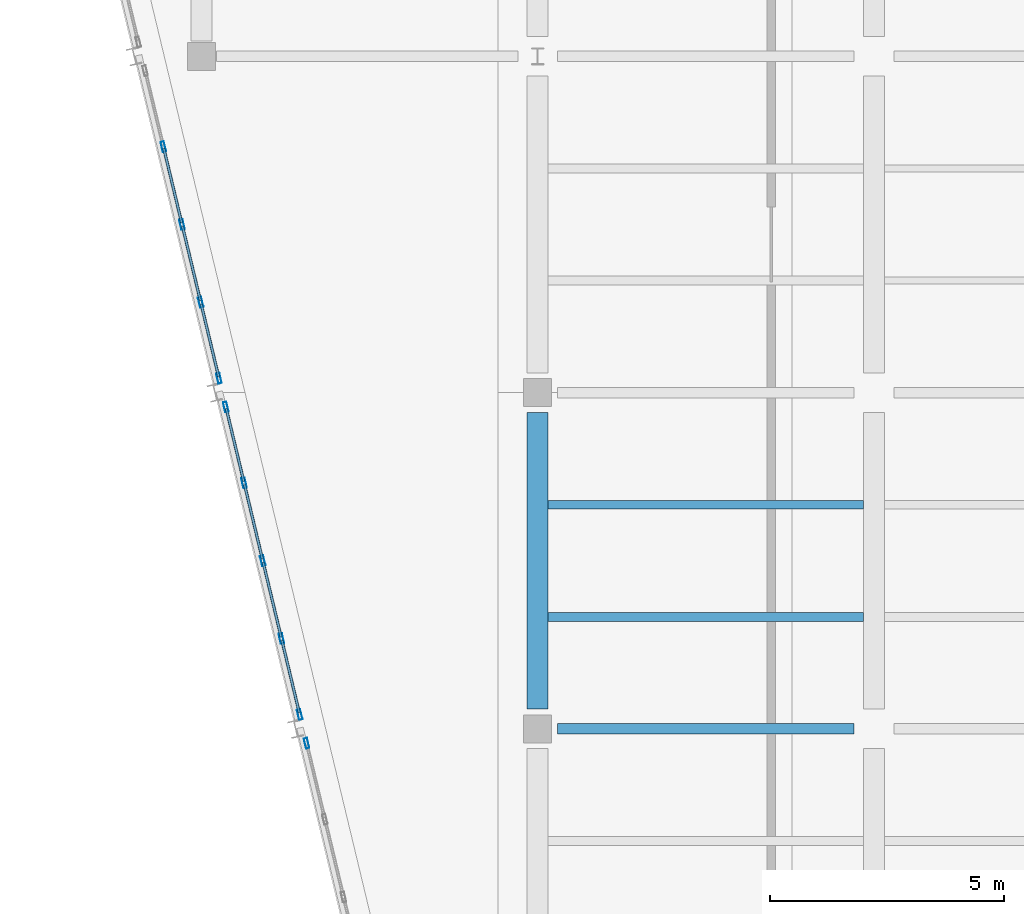
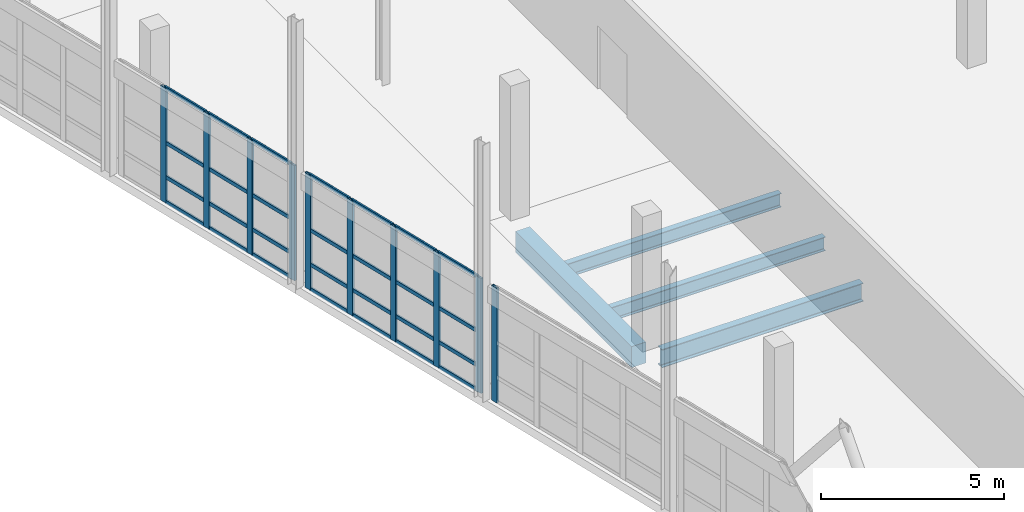
# One storey, part 64 of 123: 38 members, 4 beams, 3 elements without a shape of their own.
"""IFC4 building model written with IfcOpenShell, lengths in metres."""

import ifcopenshell
import ifcopenshell.guid

model = None  # the IFC model being written
_history = None  # IfcOwnerHistory: only IFC2X3 demands one
_inside = {}  # id of a spatial element -> (the spatial element, [elements in it])
_under = {}  # id of a project, library or spatial element -> (it, [spatial elements below it])
_declared = {}  # id of a project -> (the project, [libraries it declares])
_typed = {}  # id of a type object -> (the type object, [elements of that type])
_made_of = {}  # id of a material, layer set ... -> (it, [elements and type objects made of it])


def new_model(schema):
    """Start an empty IFC model of exactly this schema.

    Asked for "IFC4X3", IfcOpenShell would pick the latest addendum, in which some entities
    have other attributes; the version numbers below select the first issue.
    IFC2X3 requires an IfcOwnerHistory on every rooted entity: one is made here for all.
    """
    global model, _history
    if schema == "IFC4X3":
        model = ifcopenshell.file(schema_version=(4, 3, 0, 0))
    else:
        model = ifcopenshell.file(schema=schema)
    _inside.clear()
    _under.clear()
    _declared.clear()
    _typed.clear()
    _made_of.clear()
    _history = None
    if model.schema == "IFC2X3":
        org = make("IfcOrganization", Name="unknown")
        user = make(
            "IfcPersonAndOrganization",
            ThePerson=make("IfcPerson", FamilyName="unknown"),
            TheOrganization=org,
        )
        app = make(
            "IfcApplication",
            ApplicationDeveloper=org,
            Version="unknown",
            ApplicationFullName="unknown",
            ApplicationIdentifier="unknown",
        )
        _history = make(
            "IfcOwnerHistory",
            OwningUser=user,
            OwningApplication=app,
            ChangeAction="ADDED",
            CreationDate=0,
        )
    return model


def make(cls, **values):
    """One entity of the class cls with the attributes given. An attribute that is None is left unset."""
    return model.create_entity(
        cls, **{name: value for name, value in values.items() if value is not None}
    )


def rooted(cls, **values):
    """An entity with a GlobalId (a new one), such as an element, a storey or a relation."""
    return make(cls, GlobalId=ifcopenshell.guid.new(), OwnerHistory=_history, **values)


def si_unit(unit_type, name, prefix=None):
    """IfcSIUnit, for example si_unit("LENGTHUNIT", "METRE", prefix="MILLI")."""
    return make("IfcSIUnit", UnitType=unit_type, Prefix=prefix, Name=name)


def assignment(units):
    """IfcUnitAssignment: the units of a project."""
    return None if units is None else make("IfcUnitAssignment", Units=units)


def point(xyz):
    """IfcCartesianPoint."""
    return None if xyz is None else make("IfcCartesianPoint", Coordinates=xyz)


def direction(xyz):
    """IfcDirection."""
    return None if xyz is None else make("IfcDirection", DirectionRatios=xyz)


def frame(location, z_axis=None, x_axis=None):
    """IfcAxis2Placement3D, a coordinate frame: its origin and axes. An axis left out is left unset."""
    return make(
        "IfcAxis2Placement3D",
        Location=point(location),
        Axis=direction(z_axis),
        RefDirection=direction(x_axis),
    )


def frame_2d(location, x_axis=None):
    """IfcAxis2Placement2D, a coordinate frame in the plane: its origin and x axis."""
    return make(
        "IfcAxis2Placement2D", Location=point(location), RefDirection=direction(x_axis)
    )


def origin():
    """The frame at (0, 0, 0) with its axes left unset."""
    return frame((0.0, 0.0, 0.0))


def origin_2d():
    """The frame at (0, 0) in the plane with its x axis left unset."""
    return frame_2d((0.0, 0.0))


def place(relative_to, where):
    """IfcLocalPlacement: puts the frame where relative to a parent placement (None: the world)."""
    return make(
        "IfcLocalPlacement", PlacementRelTo=relative_to, RelativePlacement=where
    )


def context(
    kind, dimensions, precision=None, world=None, true_north=None, identifier=None
):
    """IfcGeometricRepresentationContext, for example the 3D "Model" context."""
    return make(
        "IfcGeometricRepresentationContext",
        ContextIdentifier=identifier,
        ContextType=kind,
        CoordinateSpaceDimension=dimensions,
        Precision=precision,
        WorldCoordinateSystem=world,
        TrueNorth=true_north,
    )


def subcontext(parent, identifier, kind, view, scale=None):
    """IfcGeometricRepresentationSubContext, for example "Body" below "Model"."""
    return make(
        "IfcGeometricRepresentationSubContext",
        ContextIdentifier=identifier,
        ContextType=kind,
        ParentContext=parent,
        TargetScale=scale,
        TargetView=view,
    )


def project(units=None, contexts=None):
    """IfcProject with its units and contexts."""
    return rooted(
        "IfcProject",
        Name="project",
        RepresentationContexts=contexts,
        UnitsInContext=assignment(units),
    )


def spatial(cls, under=None, at=None, **own):
    """A site, building, storey or space (cls), placed at a placement, below another one or the project."""
    s = rooted(cls, ObjectPlacement=at, **own)
    if under is not None:
        _under.setdefault(under.id(), (under, []))[1].append(s)
    return s


def profile(cls, at=None, kind="AREA", **sizes):
    """A parametric profile (cls). Its sizes go by their IFC names, for example OverallWidth=200.0."""
    return make(cls, ProfileType=kind, Position=at, **sizes)


def rectangle(**sizes):
    """IfcRectangleProfileDef."""
    return profile("IfcRectangleProfileDef", **sizes)


def hollow_rectangle(**sizes):
    """IfcRectangleHollowProfileDef."""
    return profile("IfcRectangleHollowProfileDef", **sizes)


def i_section(**sizes):
    """IfcIShapeProfileDef."""
    return profile("IfcIShapeProfileDef", **sizes)


def extrude(swept, where, along, depth):
    """IfcExtrudedAreaSolid: the profile swept, set in the frame where, extruded along a direction by depth."""
    return make(
        "IfcExtrudedAreaSolid",
        SweptArea=swept,
        Position=where,
        ExtrudedDirection=direction(along),
        Depth=depth,
    )


def shape(context_of_items, identifier, shape_type, items):
    """IfcShapeRepresentation: the items that make up one representation, for example the "Body"."""
    return make(
        "IfcShapeRepresentation",
        ContextOfItems=context_of_items,
        RepresentationIdentifier=identifier,
        RepresentationType=shape_type,
        Items=items,
    )


def material(Name=None, Category=None):
    """IfcMaterial."""
    return make("IfcMaterial", Name=Name, Category=Category)


def material_profile(
    of_material, cross_section, Name=None, Category=None, Priority=None
):
    """IfcMaterialProfile: a cross section and its material."""
    return make(
        "IfcMaterialProfile",
        Name=Name,
        Material=of_material,
        Profile=cross_section,
        Priority=Priority,
        Category=Category,
    )


def profile_set(profiles, Name=None, composite=None):
    """IfcMaterialProfileSet."""
    return make(
        "IfcMaterialProfileSet",
        Name=Name,
        MaterialProfiles=profiles,
        CompositeProfile=composite,
    )


def made_of(thing, what):
    """Note that an element or type object is made of a material, layer set ...; save() writes the relation."""
    if what is not None:
        _made_of.setdefault(what.id(), (what, []))[1].append(thing)
    return thing


def type_object(cls, material=None, **own):
    """A type object (cls), such as IfcWallType, which elements share."""
    return made_of(rooted(cls, **own), material)


def element(
    cls,
    number,
    at=None,
    inside=None,
    cuts=None,
    type_object=None,
    material=None,
    context=None,
    identifier="Body",
    shape_type=None,
    held_by="IfcProductDefinitionShape",
    body=None,
    shapes=None,
    **own,
):
    """One element of the class cls, such as IfcWall. Its Tag is "e" and its number.

    at: its placement. inside: the storey or other place that contains it. cuts: it is an
    opening in that element (IfcRelVoidsElement). A single representation is given by context,
    identifier, shape_type and body (its items); several are given by shapes. held_by: the class
    of the entity that holds the representations. save() writes the other relations.
    """
    e = rooted(cls, Tag="e%d" % number, ObjectPlacement=at, **own)
    if body is not None:
        shapes = [shape(context, identifier, shape_type, body)]
    if shapes is not None:
        e.Representation = make(held_by, Representations=shapes)
    if inside is not None:
        _inside.setdefault(inside.id(), (inside, []))[1].append(e)
    if cuts is not None:
        rooted(
            "IfcRelVoidsElement", RelatingBuildingElement=cuts, RelatedOpeningElement=e
        )
    if type_object is not None:
        _typed.setdefault(type_object.id(), (type_object, []))[1].append(e)
    return made_of(e, material)


def aggregate(whole, parts):
    """IfcRelAggregates: a whole, such as a stair, and the parts it consists of."""
    return rooted("IfcRelAggregates", RelatingObject=whole, RelatedObjects=parts)


def save(model, path):
    """Write the relations noted so far, then the file.

    IfcRelAggregates (storeys below a building ...), IfcRelContainedInSpatialStructure (elements
    in a storey), IfcRelDefinesByType, IfcRelAssociatesMaterial and IfcRelDeclares: one each for
    every whole, place, type object, material and project.
    """
    for whole, parts in _under.values():
        aggregate(whole, parts)
    for where, things in _inside.values():
        rooted(
            "IfcRelContainedInSpatialStructure",
            RelatedElements=things,
            RelatingStructure=where,
        )
    for kind, things in _typed.values():
        rooted("IfcRelDefinesByType", RelatedObjects=things, RelatingType=kind)
    for what, things in _made_of.values():
        rooted("IfcRelAssociatesMaterial", RelatedObjects=things, RelatingMaterial=what)
    for by, libraries in _declared.values():
        rooted("IfcRelDeclares", RelatingContext=by, RelatedDefinitions=libraries)
    model.write(path)


model = new_model("IFC4")

# Units and contexts
model_context = context("Model", 3, precision=1e-05, world=origin(), true_north=direction((0.0, 1.0)))
body_context = subcontext(model_context, "Body", "Model", "MODEL_VIEW")
ifc_project = project(units=[si_unit("LENGTHUNIT", "METRE"), si_unit("AREAUNIT", "SQUARE_METRE"), si_unit("VOLUMEUNIT", "CUBIC_METRE"), si_unit("PLANEANGLEUNIT", "RADIAN"), si_unit("MASSUNIT", "GRAM", prefix="KILO")], contexts=[model_context])

# Site, building, storey
site_placement = place(None, origin())
site = spatial("IfcSite", under=ifc_project, at=site_placement, CompositionType="ELEMENT")
building_placement = place(site_placement, origin())
building = spatial("IfcBuilding", under=site, at=building_placement, Name="Kalmorath City Hall", CompositionType="ELEMENT")
storey_placement = place(building_placement, frame((0.0, 0.0, 10.199951171875)))
storey = spatial("IfcBuildingStorey", under=building, at=storey_placement, Name="L02", CompositionType="ELEMENT", Elevation=10.199951171875)

# Beam
ifc_material_1 = material(Name="Concrete C40/50", Category="concrete")
ifc_material_profile_1 = material_profile(ifc_material_1, rectangle(XDim=0.449951171875, YDim=0.699951171875, at=origin_2d()), Name="RC-BM-450X700")
ifc_profile_set_1 = profile_set([ifc_material_profile_1], Name="Concrete C40/50")
beam_type_1 = type_object("IfcBeamType", Name="Concrete floor beam 450x700", PredefinedType="BEAM", material=ifc_profile_set_1)
beam_1_placement = place(storey_placement, frame((136.800048828125, 65.22509765625, -0.634033203125), z_axis=(0.0, 1.0, 0.0), x_axis=(-1.0, 0.0, 0.0)))
element("IfcBeam", 1, at=beam_1_placement, inside=storey, type_object=beam_type_1, Name="L02 girder CB4 Y20/10-11", PredefinedType="BEAM", context=body_context, shape_type="SweptSolid", body=[
    extrude(rectangle(XDim=0.449951171875, YDim=0.699951171875, at=origin_2d()), origin(), (0.0, 0.0, 1.0), 6.349853515625),
])

# Curtain wall, members
ifc_material_2 = material(Name="Anodised aluminium and laminated glass", Category="aluminium")
curtain_wall_type = type_object("IfcCurtainWallType", Name="Unitised hurricane curtain wall 6849x3835 M1850", PredefinedType="NOTDEFINED", material=ifc_material_2)
curtain_wall_1_placement = place(storey_placement, origin())
curtain_wall_1 = element("IfcCurtainWall", 2, at=curtain_wall_1_placement, inside=storey, type_object=curtain_wall_type, Name="L02 curtain wall CW-68X38M18 #128", PredefinedType="NOTDEFINED")
ifc_material_3 = material(Name="Anodised aluminium framing", Category="aluminium")
ifc_material_profile_2 = material_profile(ifc_material_3, hollow_rectangle(XDim=0.06005859375, YDim=0.1298828125, WallThickness=0.00341796875, InnerFilletRadius=0.00341796875, OuterFilletRadius=0.007080078125, at=origin_2d()), Name="ALU-TRN-130X60X3.5")
ifc_profile_set_2 = profile_set([ifc_material_profile_2], Name="Anodised aluminium framing")
member_type_1 = type_object("IfcMemberType", Name="Curtain-wall courtyard transom 130x60", PredefinedType="USERDEFINED", material=ifc_profile_set_2)
member_1_placement = place(storey_placement, frame((131.6962890625, 65.142822265625, 0.030029296875), z_axis=(-0.233476838675, 0.972362363423, 0.0), x_axis=(-0.972362363423, -0.233476838675, 0.0)))
member_1 = element("IfcMember", 3, at=member_1_placement, type_object=member_type_1, Name="CW-68X38M18 transom 1.1", ObjectType="TRANSOM", PredefinedType="USERDEFINED", context=body_context, shape_type="SweptSolid", body=[
    extrude(hollow_rectangle(XDim=0.06005859375, YDim=0.1298828125, WallThickness=0.00341796875, InnerFilletRadius=0.00341796875, OuterFilletRadius=0.007080078125, at=origin_2d()), origin(), (0.0, 0.0, 1.0), 1.599853515625),
])
member_2_placement = place(storey_placement, frame((131.6962890625, 65.142822265625, 0.85009765625), z_axis=(-0.233476838675, 0.972362363423, 0.0), x_axis=(-0.972362363423, -0.233476838675, 0.0)))
member_2 = element("IfcMember", 4, at=member_2_placement, type_object=member_type_1, Name="CW-68X38M18 transom 1.2", ObjectType="TRANSOM", PredefinedType="USERDEFINED", context=body_context, shape_type="SweptSolid", body=[
    extrude(hollow_rectangle(XDim=0.06005859375, YDim=0.1298828125, WallThickness=0.00341796875, InnerFilletRadius=0.00341796875, OuterFilletRadius=0.007080078125, at=origin_2d()), origin(), (0.0, 0.0, 1.0), 1.599853515625),
])
member_3_placement = place(storey_placement, frame((131.6962890625, 65.142822265625, 1.994140625), z_axis=(-0.233476838675, 0.972362363423, 0.0), x_axis=(-0.972362363423, -0.233476838675, 0.0)))
member_3 = element("IfcMember", 5, at=member_3_placement, type_object=member_type_1, Name="CW-68X38M18 transom 1.3", ObjectType="TRANSOM", PredefinedType="USERDEFINED", context=body_context, shape_type="SweptSolid", body=[
    extrude(hollow_rectangle(XDim=0.06005859375, YDim=0.1298828125, WallThickness=0.00341796875, InnerFilletRadius=0.00341796875, OuterFilletRadius=0.007080078125, at=origin_2d()), origin(), (0.0, 0.0, 1.0), 1.599853515625),
])
member_4_placement = place(storey_placement, frame((131.6962890625, 65.142822265625, 3.804931640625), z_axis=(-0.233476838675, 0.972362363423, 0.0), x_axis=(-0.972362363423, -0.233476838675, 0.0)))
member_4 = element("IfcMember", 6, at=member_4_placement, type_object=member_type_1, Name="CW-68X38M18 transom 1.4", ObjectType="TRANSOM", PredefinedType="USERDEFINED", context=body_context, shape_type="SweptSolid", body=[
    extrude(hollow_rectangle(XDim=0.06005859375, YDim=0.1298828125, WallThickness=0.00341796875, InnerFilletRadius=0.00341796875, OuterFilletRadius=0.007080078125, at=origin_2d()), origin(), (0.0, 0.0, 1.0), 1.599853515625),
])
member_5_placement = place(storey_placement, frame((131.305419921875, 66.771484375, 0.030029296875), z_axis=(-0.233508300868, 0.972354808404, 0.0), x_axis=(-0.972354808404, -0.233508300868, 0.0)))
member_5 = element("IfcMember", 7, at=member_5_placement, type_object=member_type_1, Name="CW-68X38M18 transom 2.1", ObjectType="TRANSOM", PredefinedType="USERDEFINED", context=body_context, shape_type="SweptSolid", body=[
    extrude(hollow_rectangle(XDim=0.06005859375, YDim=0.1298828125, WallThickness=0.00341796875, InnerFilletRadius=0.00341796875, OuterFilletRadius=0.007080078125, at=origin_2d()), origin(), (0.0, 0.0, 1.0), 1.63720703125),
])
member_6_placement = place(storey_placement, frame((131.305419921875, 66.771484375, 0.85009765625), z_axis=(-0.233508300868, 0.972354808404, 0.0), x_axis=(-0.972354808404, -0.233508300868, 0.0)))
member_6 = element("IfcMember", 8, at=member_6_placement, type_object=member_type_1, Name="CW-68X38M18 transom 2.2", ObjectType="TRANSOM", PredefinedType="USERDEFINED", context=body_context, shape_type="SweptSolid", body=[
    extrude(hollow_rectangle(XDim=0.06005859375, YDim=0.1298828125, WallThickness=0.00341796875, InnerFilletRadius=0.00341796875, OuterFilletRadius=0.007080078125, at=origin_2d()), origin(), (0.0, 0.0, 1.0), 1.63720703125),
])
member_7_placement = place(storey_placement, frame((131.305419921875, 66.771484375, 1.994140625), z_axis=(-0.233508300868, 0.972354808404, 0.0), x_axis=(-0.972354808404, -0.233508300868, 0.0)))
member_7 = element("IfcMember", 9, at=member_7_placement, type_object=member_type_1, Name="CW-68X38M18 transom 2.3", ObjectType="TRANSOM", PredefinedType="USERDEFINED", context=body_context, shape_type="SweptSolid", body=[
    extrude(hollow_rectangle(XDim=0.06005859375, YDim=0.1298828125, WallThickness=0.00341796875, InnerFilletRadius=0.00341796875, OuterFilletRadius=0.007080078125, at=origin_2d()), origin(), (0.0, 0.0, 1.0), 1.63720703125),
])
member_8_placement = place(storey_placement, frame((131.305419921875, 66.771484375, 3.804931640625), z_axis=(-0.233508300868, 0.972354808404, 0.0), x_axis=(-0.972354808404, -0.233508300868, 0.0)))
member_8 = element("IfcMember", 10, at=member_8_placement, type_object=member_type_1, Name="CW-68X38M18 transom 2.4", ObjectType="TRANSOM", PredefinedType="USERDEFINED", context=body_context, shape_type="SweptSolid", body=[
    extrude(hollow_rectangle(XDim=0.06005859375, YDim=0.1298828125, WallThickness=0.00341796875, InnerFilletRadius=0.00341796875, OuterFilletRadius=0.007080078125, at=origin_2d()), origin(), (0.0, 0.0, 1.0), 1.63720703125),
])
member_9_placement = place(storey_placement, frame((130.905517578125, 68.4365234375, 0.030029296875), z_axis=(-0.233367312665, 0.972388655518, 0.0), x_axis=(-0.972388655518, -0.233367312665, 0.0)))
member_9 = element("IfcMember", 11, at=member_9_placement, type_object=member_type_1, Name="CW-68X38M18 transom 3.1", ObjectType="TRANSOM", PredefinedType="USERDEFINED", context=body_context, shape_type="SweptSolid", body=[
    extrude(hollow_rectangle(XDim=0.06005859375, YDim=0.1298828125, WallThickness=0.00341796875, InnerFilletRadius=0.00341796875, OuterFilletRadius=0.007080078125, at=origin_2d()), origin(), (0.0, 0.0, 1.0), 1.63720703125),
])
member_10_placement = place(storey_placement, frame((130.905517578125, 68.4365234375, 0.85009765625), z_axis=(-0.233367312665, 0.972388655518, 0.0), x_axis=(-0.972388655518, -0.233367312665, 0.0)))
member_10 = element("IfcMember", 12, at=member_10_placement, type_object=member_type_1, Name="CW-68X38M18 transom 3.2", ObjectType="TRANSOM", PredefinedType="USERDEFINED", context=body_context, shape_type="SweptSolid", body=[
    extrude(hollow_rectangle(XDim=0.06005859375, YDim=0.1298828125, WallThickness=0.00341796875, InnerFilletRadius=0.00341796875, OuterFilletRadius=0.007080078125, at=origin_2d()), origin(), (0.0, 0.0, 1.0), 1.63720703125),
])
member_11_placement = place(storey_placement, frame((130.905517578125, 68.4365234375, 1.994140625), z_axis=(-0.233367312665, 0.972388655518, 0.0), x_axis=(-0.972388655518, -0.233367312665, 0.0)))
member_11 = element("IfcMember", 13, at=member_11_placement, type_object=member_type_1, Name="CW-68X38M18 transom 3.3", ObjectType="TRANSOM", PredefinedType="USERDEFINED", context=body_context, shape_type="SweptSolid", body=[
    extrude(hollow_rectangle(XDim=0.06005859375, YDim=0.1298828125, WallThickness=0.00341796875, InnerFilletRadius=0.00341796875, OuterFilletRadius=0.007080078125, at=origin_2d()), origin(), (0.0, 0.0, 1.0), 1.63720703125),
])
member_12_placement = place(storey_placement, frame((130.905517578125, 68.4365234375, 3.804931640625), z_axis=(-0.233367312665, 0.972388655518, 0.0), x_axis=(-0.972388655518, -0.233367312665, 0.0)))
member_12 = element("IfcMember", 14, at=member_12_placement, type_object=member_type_1, Name="CW-68X38M18 transom 3.4", ObjectType="TRANSOM", PredefinedType="USERDEFINED", context=body_context, shape_type="SweptSolid", body=[
    extrude(hollow_rectangle(XDim=0.06005859375, YDim=0.1298828125, WallThickness=0.00341796875, InnerFilletRadius=0.00341796875, OuterFilletRadius=0.007080078125, at=origin_2d()), origin(), (0.0, 0.0, 1.0), 1.63720703125),
])
member_13_placement = place(storey_placement, frame((130.505859375, 70.1015625, 0.030029296875), z_axis=(-0.233511487372, 0.972354043168, 0.0), x_axis=(-0.972354043168, -0.233511487372, 0.0)))
member_13 = element("IfcMember", 15, at=member_13_placement, type_object=member_type_1, Name="CW-68X38M18 transom 4.1", ObjectType="TRANSOM", PredefinedType="USERDEFINED", context=body_context, shape_type="SweptSolid", body=[
    extrude(hollow_rectangle(XDim=0.06005859375, YDim=0.1298828125, WallThickness=0.00341796875, InnerFilletRadius=0.00341796875, OuterFilletRadius=0.007080078125, at=origin_2d()), origin(), (0.0, 0.0, 1.0), 1.599609375),
])
member_14_placement = place(storey_placement, frame((130.505859375, 70.1015625, 0.85009765625), z_axis=(-0.233511487372, 0.972354043168, 0.0), x_axis=(-0.972354043168, -0.233511487372, 0.0)))
member_14 = element("IfcMember", 16, at=member_14_placement, type_object=member_type_1, Name="CW-68X38M18 transom 4.2", ObjectType="TRANSOM", PredefinedType="USERDEFINED", context=body_context, shape_type="SweptSolid", body=[
    extrude(hollow_rectangle(XDim=0.06005859375, YDim=0.1298828125, WallThickness=0.00341796875, InnerFilletRadius=0.00341796875, OuterFilletRadius=0.007080078125, at=origin_2d()), origin(), (0.0, 0.0, 1.0), 1.599609375),
])
member_15_placement = place(storey_placement, frame((130.505859375, 70.1015625, 1.994140625), z_axis=(-0.233511487372, 0.972354043168, 0.0), x_axis=(-0.972354043168, -0.233511487372, 0.0)))
member_15 = element("IfcMember", 17, at=member_15_placement, type_object=member_type_1, Name="CW-68X38M18 transom 4.3", ObjectType="TRANSOM", PredefinedType="USERDEFINED", context=body_context, shape_type="SweptSolid", body=[
    extrude(hollow_rectangle(XDim=0.06005859375, YDim=0.1298828125, WallThickness=0.00341796875, InnerFilletRadius=0.00341796875, OuterFilletRadius=0.007080078125, at=origin_2d()), origin(), (0.0, 0.0, 1.0), 1.599609375),
])
member_16_placement = place(storey_placement, frame((130.505859375, 70.1015625, 3.804931640625), z_axis=(-0.233511487372, 0.972354043168, 0.0), x_axis=(-0.972354043168, -0.233511487372, 0.0)))
member_16 = element("IfcMember", 18, at=member_16_placement, type_object=member_type_1, Name="CW-68X38M18 transom 4.4", ObjectType="TRANSOM", PredefinedType="USERDEFINED", context=body_context, shape_type="SweptSolid", body=[
    extrude(hollow_rectangle(XDim=0.06005859375, YDim=0.1298828125, WallThickness=0.00341796875, InnerFilletRadius=0.00341796875, OuterFilletRadius=0.007080078125, at=origin_2d()), origin(), (0.0, 0.0, 1.0), 1.599609375),
])

curtain_wall_2_placement = place(storey_placement, origin())
curtain_wall_2 = element("IfcCurtainWall", 19, at=curtain_wall_2_placement, inside=storey, type_object=curtain_wall_type, Name="L02 curtain wall CW-68X38M18 #129", PredefinedType="NOTDEFINED")
member_17_placement = place(storey_placement, frame((129.9677734375, 72.343017578125, 0.030029296875), z_axis=(-0.233511487372, 0.972354043168, 0.0), x_axis=(-0.972354043168, -0.233511487372, 0.0)))
member_17 = element("IfcMember", 20, at=member_17_placement, type_object=member_type_1, Name="CW-68X38M18 transom 1.1", ObjectType="TRANSOM", PredefinedType="USERDEFINED", context=body_context, shape_type="SweptSolid", body=[
    extrude(hollow_rectangle(XDim=0.06005859375, YDim=0.1298828125, WallThickness=0.00341796875, InnerFilletRadius=0.00341796875, OuterFilletRadius=0.007080078125, at=origin_2d()), origin(), (0.0, 0.0, 1.0), 1.599609375),
])
member_18_placement = place(storey_placement, frame((129.9677734375, 72.343017578125, 0.85009765625), z_axis=(-0.233511487372, 0.972354043168, 0.0), x_axis=(-0.972354043168, -0.233511487372, 0.0)))
member_18 = element("IfcMember", 21, at=member_18_placement, type_object=member_type_1, Name="CW-68X38M18 transom 1.2", ObjectType="TRANSOM", PredefinedType="USERDEFINED", context=body_context, shape_type="SweptSolid", body=[
    extrude(hollow_rectangle(XDim=0.06005859375, YDim=0.1298828125, WallThickness=0.00341796875, InnerFilletRadius=0.00341796875, OuterFilletRadius=0.007080078125, at=origin_2d()), origin(), (0.0, 0.0, 1.0), 1.599609375),
])
member_19_placement = place(storey_placement, frame((129.9677734375, 72.343017578125, 1.994140625), z_axis=(-0.233511487372, 0.972354043168, 0.0), x_axis=(-0.972354043168, -0.233511487372, 0.0)))
member_19 = element("IfcMember", 22, at=member_19_placement, type_object=member_type_1, Name="CW-68X38M18 transom 1.3", ObjectType="TRANSOM", PredefinedType="USERDEFINED", context=body_context, shape_type="SweptSolid", body=[
    extrude(hollow_rectangle(XDim=0.06005859375, YDim=0.1298828125, WallThickness=0.00341796875, InnerFilletRadius=0.00341796875, OuterFilletRadius=0.007080078125, at=origin_2d()), origin(), (0.0, 0.0, 1.0), 1.599609375),
])
member_20_placement = place(storey_placement, frame((129.9677734375, 72.343017578125, 3.804931640625), z_axis=(-0.233511487372, 0.972354043168, 0.0), x_axis=(-0.972354043168, -0.233511487372, 0.0)))
member_20 = element("IfcMember", 23, at=member_20_placement, type_object=member_type_1, Name="CW-68X38M18 transom 1.4", ObjectType="TRANSOM", PredefinedType="USERDEFINED", context=body_context, shape_type="SweptSolid", body=[
    extrude(hollow_rectangle(XDim=0.06005859375, YDim=0.1298828125, WallThickness=0.00341796875, InnerFilletRadius=0.00341796875, OuterFilletRadius=0.007080078125, at=origin_2d()), origin(), (0.0, 0.0, 1.0), 1.599609375),
])
member_21_placement = place(storey_placement, frame((129.57666015625, 73.971435546875, 0.030029296875), z_axis=(-0.233508300868, 0.972354808404, 0.0), x_axis=(-0.972354808404, -0.233508300868, 0.0)))
member_21 = element("IfcMember", 24, at=member_21_placement, type_object=member_type_1, Name="CW-68X38M18 transom 2.1", ObjectType="TRANSOM", PredefinedType="USERDEFINED", context=body_context, shape_type="SweptSolid", body=[
    extrude(hollow_rectangle(XDim=0.06005859375, YDim=0.1298828125, WallThickness=0.00341796875, InnerFilletRadius=0.00341796875, OuterFilletRadius=0.007080078125, at=origin_2d()), origin(), (0.0, 0.0, 1.0), 1.63720703125),
])
member_22_placement = place(storey_placement, frame((129.57666015625, 73.971435546875, 0.85009765625), z_axis=(-0.233508300868, 0.972354808404, 0.0), x_axis=(-0.972354808404, -0.233508300868, 0.0)))
member_22 = element("IfcMember", 25, at=member_22_placement, type_object=member_type_1, Name="CW-68X38M18 transom 2.2", ObjectType="TRANSOM", PredefinedType="USERDEFINED", context=body_context, shape_type="SweptSolid", body=[
    extrude(hollow_rectangle(XDim=0.06005859375, YDim=0.1298828125, WallThickness=0.00341796875, InnerFilletRadius=0.00341796875, OuterFilletRadius=0.007080078125, at=origin_2d()), origin(), (0.0, 0.0, 1.0), 1.63720703125),
])
member_23_placement = place(storey_placement, frame((129.57666015625, 73.971435546875, 1.994140625), z_axis=(-0.233508300868, 0.972354808404, 0.0), x_axis=(-0.972354808404, -0.233508300868, 0.0)))
member_23 = element("IfcMember", 26, at=member_23_placement, type_object=member_type_1, Name="CW-68X38M18 transom 2.3", ObjectType="TRANSOM", PredefinedType="USERDEFINED", context=body_context, shape_type="SweptSolid", body=[
    extrude(hollow_rectangle(XDim=0.06005859375, YDim=0.1298828125, WallThickness=0.00341796875, InnerFilletRadius=0.00341796875, OuterFilletRadius=0.007080078125, at=origin_2d()), origin(), (0.0, 0.0, 1.0), 1.63720703125),
])
member_24_placement = place(storey_placement, frame((129.57666015625, 73.971435546875, 3.804931640625), z_axis=(-0.233508300868, 0.972354808404, 0.0), x_axis=(-0.972354808404, -0.233508300868, 0.0)))
member_24 = element("IfcMember", 27, at=member_24_placement, type_object=member_type_1, Name="CW-68X38M18 transom 2.4", ObjectType="TRANSOM", PredefinedType="USERDEFINED", context=body_context, shape_type="SweptSolid", body=[
    extrude(hollow_rectangle(XDim=0.06005859375, YDim=0.1298828125, WallThickness=0.00341796875, InnerFilletRadius=0.00341796875, OuterFilletRadius=0.007080078125, at=origin_2d()), origin(), (0.0, 0.0, 1.0), 1.63720703125),
])
member_25_placement = place(storey_placement, frame((129.177001953125, 75.636474609375, 0.030029296875), z_axis=(-0.233508300868, 0.972354808404, 0.0), x_axis=(-0.972354808404, -0.233508300868, 0.0)))
member_25 = element("IfcMember", 28, at=member_25_placement, type_object=member_type_1, Name="CW-68X38M18 transom 3.1", ObjectType="TRANSOM", PredefinedType="USERDEFINED", context=body_context, shape_type="SweptSolid", body=[
    extrude(hollow_rectangle(XDim=0.06005859375, YDim=0.1298828125, WallThickness=0.00341796875, InnerFilletRadius=0.00341796875, OuterFilletRadius=0.007080078125, at=origin_2d()), origin(), (0.0, 0.0, 1.0), 1.63720703125),
])
member_26_placement = place(storey_placement, frame((129.177001953125, 75.636474609375, 0.85009765625), z_axis=(-0.233508300868, 0.972354808404, 0.0), x_axis=(-0.972354808404, -0.233508300868, 0.0)))
member_26 = element("IfcMember", 29, at=member_26_placement, type_object=member_type_1, Name="CW-68X38M18 transom 3.2", ObjectType="TRANSOM", PredefinedType="USERDEFINED", context=body_context, shape_type="SweptSolid", body=[
    extrude(hollow_rectangle(XDim=0.06005859375, YDim=0.1298828125, WallThickness=0.00341796875, InnerFilletRadius=0.00341796875, OuterFilletRadius=0.007080078125, at=origin_2d()), origin(), (0.0, 0.0, 1.0), 1.63720703125),
])
member_27_placement = place(storey_placement, frame((129.177001953125, 75.636474609375, 1.994140625), z_axis=(-0.233508300868, 0.972354808404, 0.0), x_axis=(-0.972354808404, -0.233508300868, 0.0)))
member_27 = element("IfcMember", 30, at=member_27_placement, type_object=member_type_1, Name="CW-68X38M18 transom 3.3", ObjectType="TRANSOM", PredefinedType="USERDEFINED", context=body_context, shape_type="SweptSolid", body=[
    extrude(hollow_rectangle(XDim=0.06005859375, YDim=0.1298828125, WallThickness=0.00341796875, InnerFilletRadius=0.00341796875, OuterFilletRadius=0.007080078125, at=origin_2d()), origin(), (0.0, 0.0, 1.0), 1.63720703125),
])
member_28_placement = place(storey_placement, frame((129.177001953125, 75.636474609375, 3.804931640625), z_axis=(-0.233508300868, 0.972354808404, 0.0), x_axis=(-0.972354808404, -0.233508300868, 0.0)))
member_28 = element("IfcMember", 31, at=member_28_placement, type_object=member_type_1, Name="CW-68X38M18 transom 3.4", ObjectType="TRANSOM", PredefinedType="USERDEFINED", context=body_context, shape_type="SweptSolid", body=[
    extrude(hollow_rectangle(XDim=0.06005859375, YDim=0.1298828125, WallThickness=0.00341796875, InnerFilletRadius=0.00341796875, OuterFilletRadius=0.007080078125, at=origin_2d()), origin(), (0.0, 0.0, 1.0), 1.63720703125),
])

# Curtain wall, member
curtain_wall_3_placement = place(storey_placement, origin())
curtain_wall_3 = element("IfcCurtainWall", 32, at=curtain_wall_3_placement, inside=storey, type_object=curtain_wall_type, Name="L02 curtain wall CW-68X38M18 #127", PredefinedType="NOTDEFINED")
ifc_material_4 = material(Name="Anodised aluminium framing", Category="aluminium")
ifc_material_profile_3 = material_profile(ifc_material_4, hollow_rectangle(XDim=0.074951171875, YDim=0.219970703125, WallThickness=0.00390625, InnerFilletRadius=0.00390625, OuterFilletRadius=0.008056640625, at=origin_2d()), Name="ALU-MUL-220X75X4")
ifc_profile_set_3 = profile_set([ifc_material_profile_3], Name="Anodised aluminium framing")
member_type_2 = type_object("IfcMemberType", Name="Curtain-wall primary mullion 220x75", PredefinedType="MULLION", material=ifc_profile_set_3)
member_29_placement = place(storey_placement, frame((131.852294921875, 64.49365234375, 0.0), z_axis=(0.0, 0.0, 1.0), x_axis=(-0.97236741933, -0.233455781305, 0.0)))
member_29 = element("IfcMember", 33, at=member_29_placement, type_object=member_type_2, Name="CW-68X38M18 mullion 5", PredefinedType="MULLION", context=body_context, shape_type="SweptSolid", body=[
    extrude(hollow_rectangle(XDim=0.074951171875, YDim=0.219970703125, WallThickness=0.00390625, InnerFilletRadius=0.00390625, OuterFilletRadius=0.008056640625, at=origin_2d()), origin(), (0.0, 0.0, 1.0), 3.8349609375),
])
aggregate(curtain_wall_3, [member_29])

# Member
member_30_placement = place(storey_placement, frame((131.705078125, 65.1064453125, 0.0), z_axis=(0.0, 0.0, 1.0), x_axis=(-0.972370733538, -0.233441976856, 0.0)))
member_30 = element("IfcMember", 34, at=member_30_placement, type_object=member_type_2, Name="CW-68X38M18 mullion 1", PredefinedType="MULLION", context=body_context, shape_type="SweptSolid", body=[
    extrude(hollow_rectangle(XDim=0.074951171875, YDim=0.219970703125, WallThickness=0.00390625, InnerFilletRadius=0.00390625, OuterFilletRadius=0.008056640625, at=origin_2d()), origin(), (0.0, 0.0, 1.0), 3.8349609375),
])

member_31_placement = place(storey_placement, frame((131.31396484375, 66.735107421875, 0.0), z_axis=(0.0, 0.0, 1.0), x_axis=(-0.972370733538, -0.233441976856, 0.0)))
member_31 = element("IfcMember", 35, at=member_31_placement, type_object=member_type_2, Name="CW-68X38M18 mullion 2", PredefinedType="MULLION", context=body_context, shape_type="SweptSolid", body=[
    extrude(hollow_rectangle(XDim=0.074951171875, YDim=0.219970703125, WallThickness=0.00390625, InnerFilletRadius=0.00390625, OuterFilletRadius=0.008056640625, at=origin_2d()), origin(), (0.0, 0.0, 1.0), 3.8349609375),
])

member_32_placement = place(storey_placement, frame((130.914306640625, 68.39990234375, 0.0), z_axis=(0.0, 0.0, 1.0), x_axis=(-0.972370733538, -0.233441976856, 0.0)))
member_32 = element("IfcMember", 36, at=member_32_placement, type_object=member_type_2, Name="CW-68X38M18 mullion 3", PredefinedType="MULLION", context=body_context, shape_type="SweptSolid", body=[
    extrude(hollow_rectangle(XDim=0.074951171875, YDim=0.219970703125, WallThickness=0.00390625, InnerFilletRadius=0.00390625, OuterFilletRadius=0.008056640625, at=origin_2d()), origin(), (0.0, 0.0, 1.0), 3.8349609375),
])

member_33_placement = place(storey_placement, frame((130.5146484375, 70.06494140625, 0.0), z_axis=(0.0, 0.0, 1.0), x_axis=(-0.972370733538, -0.233441976856, 0.0)))
member_33 = element("IfcMember", 37, at=member_33_placement, type_object=member_type_2, Name="CW-68X38M18 mullion 4", PredefinedType="MULLION", context=body_context, shape_type="SweptSolid", body=[
    extrude(hollow_rectangle(XDim=0.074951171875, YDim=0.219970703125, WallThickness=0.00390625, InnerFilletRadius=0.00390625, OuterFilletRadius=0.008056640625, at=origin_2d()), origin(), (0.0, 0.0, 1.0), 3.8349609375),
])

member_34_placement = place(storey_placement, frame((130.12353515625, 71.693603515625, 0.0), z_axis=(0.0, 0.0, 1.0), x_axis=(-0.972370733538, -0.233441976856, 0.0)))
member_34 = element("IfcMember", 38, at=member_34_placement, type_object=member_type_2, Name="CW-68X38M18 mullion 5", PredefinedType="MULLION", context=body_context, shape_type="SweptSolid", body=[
    extrude(hollow_rectangle(XDim=0.074951171875, YDim=0.219970703125, WallThickness=0.00390625, InnerFilletRadius=0.00390625, OuterFilletRadius=0.008056640625, at=origin_2d()), origin(), (0.0, 0.0, 1.0), 3.8349609375),
])

aggregate(curtain_wall_1, [member_30, member_31, member_32, member_33, member_34, member_1, member_2, member_3, member_4, member_5, member_6, member_7, member_8, member_9, member_10, member_11, member_12, member_13, member_14, member_15, member_16])

member_35_placement = place(storey_placement, frame((129.9765625, 72.306396484375, 0.0), z_axis=(0.0, 0.0, 1.0), x_axis=(-0.97236741933, -0.233455781305, 0.0)))
member_35 = element("IfcMember", 39, at=member_35_placement, type_object=member_type_2, Name="CW-68X38M18 mullion 1", PredefinedType="MULLION", context=body_context, shape_type="SweptSolid", body=[
    extrude(hollow_rectangle(XDim=0.074951171875, YDim=0.219970703125, WallThickness=0.00390625, InnerFilletRadius=0.00390625, OuterFilletRadius=0.008056640625, at=origin_2d()), origin(), (0.0, 0.0, 1.0), 3.8349609375),
])

member_36_placement = place(storey_placement, frame((129.58544921875, 73.93505859375, 0.0), z_axis=(0.0, 0.0, 1.0), x_axis=(-0.97236741933, -0.233455781305, 0.0)))
member_36 = element("IfcMember", 40, at=member_36_placement, type_object=member_type_2, Name="CW-68X38M18 mullion 2", PredefinedType="MULLION", context=body_context, shape_type="SweptSolid", body=[
    extrude(hollow_rectangle(XDim=0.074951171875, YDim=0.219970703125, WallThickness=0.00390625, InnerFilletRadius=0.00390625, OuterFilletRadius=0.008056640625, at=origin_2d()), origin(), (0.0, 0.0, 1.0), 3.8349609375),
])

member_37_placement = place(storey_placement, frame((129.185791015625, 75.60009765625, 0.0), z_axis=(0.0, 0.0, 1.0), x_axis=(-0.97236741933, -0.233455781305, 0.0)))
member_37 = element("IfcMember", 41, at=member_37_placement, type_object=member_type_2, Name="CW-68X38M18 mullion 3", PredefinedType="MULLION", context=body_context, shape_type="SweptSolid", body=[
    extrude(hollow_rectangle(XDim=0.074951171875, YDim=0.219970703125, WallThickness=0.00390625, InnerFilletRadius=0.00390625, OuterFilletRadius=0.008056640625, at=origin_2d()), origin(), (0.0, 0.0, 1.0), 3.8349609375),
])

member_38_placement = place(storey_placement, frame((128.785888671875, 77.264892578125, 0.0), z_axis=(0.0, 0.0, 1.0), x_axis=(-0.97236741933, -0.233455781305, 0.0)))
member_38 = element("IfcMember", 42, at=member_38_placement, type_object=member_type_2, Name="CW-68X38M18 mullion 4", PredefinedType="MULLION", context=body_context, shape_type="SweptSolid", body=[
    extrude(hollow_rectangle(XDim=0.074951171875, YDim=0.219970703125, WallThickness=0.00390625, InnerFilletRadius=0.00390625, OuterFilletRadius=0.008056640625, at=origin_2d()), origin(), (0.0, 0.0, 1.0), 3.8349609375),
])

aggregate(curtain_wall_2, [member_35, member_36, member_37, member_38, member_17, member_18, member_19, member_20, member_21, member_22, member_23, member_24, member_25, member_26, member_27, member_28])

# Beams
ifc_material_5 = material(Name="Steel ASTM A992 Grade 50", Category="steel")
ifc_material_profile_4 = material_profile(ifc_material_5, i_section(OverallWidth=0.19091796875, OverallDepth=0.4599609375, WebThickness=0.010009765625, FlangeThickness=0.01611328125, FilletRadius=0.013916015625, at=origin_2d()), Name="W18X55")
ifc_profile_set_4 = profile_set([ifc_material_profile_4], Name="Steel ASTM A992 Grade 50")
beam_type_2 = type_object("IfcBeamType", Name="Steel composite joist W18X55", PredefinedType="JOIST", material=ifc_profile_set_4)
for number, where, z_axis, x_axis, name in (
    (43, (137.02490234375, 67.199951171875, -0.513916015625), (1.0, 0.0, 0.0), (0.0, 1.0, 0.0), "L02 joist SJ2 20.10.1"),
    (44, (137.02490234375, 69.60009765625, -0.513916015625), (1.0, 0.0, 0.0), (0.0, 1.0, 0.0), "L02 joist SJ2 20.10.2"),
):
    element("IfcBeam", number, at=place(storey_placement, frame(where, z_axis=z_axis, x_axis=x_axis)), inside=storey, type_object=beam_type_2, Name=name, PredefinedType="JOIST", context=body_context, shape_type="SweptSolid", body=[
        extrude(i_section(OverallWidth=0.19091796875, OverallDepth=0.4599609375, WebThickness=0.010009765625, FlangeThickness=0.01611328125, FilletRadius=0.013916015625, at=origin_2d()), origin(), (0.0, 0.0, 1.0), 6.75),
    ])
ifc_material_6 = material(Name="Steel ASTM A992 Grade 50", Category="steel")
ifc_material_profile_5 = material_profile(ifc_material_6, i_section(OverallWidth=0.22900390625, OverallDepth=0.612060546875, WebThickness=0.011962890625, FlangeThickness=0.01953125, FilletRadius=0.01611328125, at=origin_2d()), Name="W24X84")
ifc_profile_set_5 = profile_set([ifc_material_profile_5], Name="Steel ASTM A992 Grade 50")
beam_type_3 = type_object("IfcBeamType", Name="Steel floor girder W24X84", PredefinedType="BEAM", material=ifc_profile_set_5)
beam_2_placement = place(storey_placement, frame((137.22509765625, 64.800048828125, -0.58984375), z_axis=(1.0, 0.0, 0.0), x_axis=(0.0, 1.0, 0.0)))
element("IfcBeam", 45, at=beam_2_placement, inside=storey, type_object=beam_type_3, Name="L02 girder SG8 X20-21/10", PredefinedType="BEAM", context=body_context, shape_type="SweptSolid", body=[
    extrude(i_section(OverallWidth=0.22900390625, OverallDepth=0.612060546875, WebThickness=0.011962890625, FlangeThickness=0.01953125, FilletRadius=0.01611328125, at=origin_2d()), origin(), (0.0, 0.0, 1.0), 6.349853515625),
])

save(model, "model.ifc")
